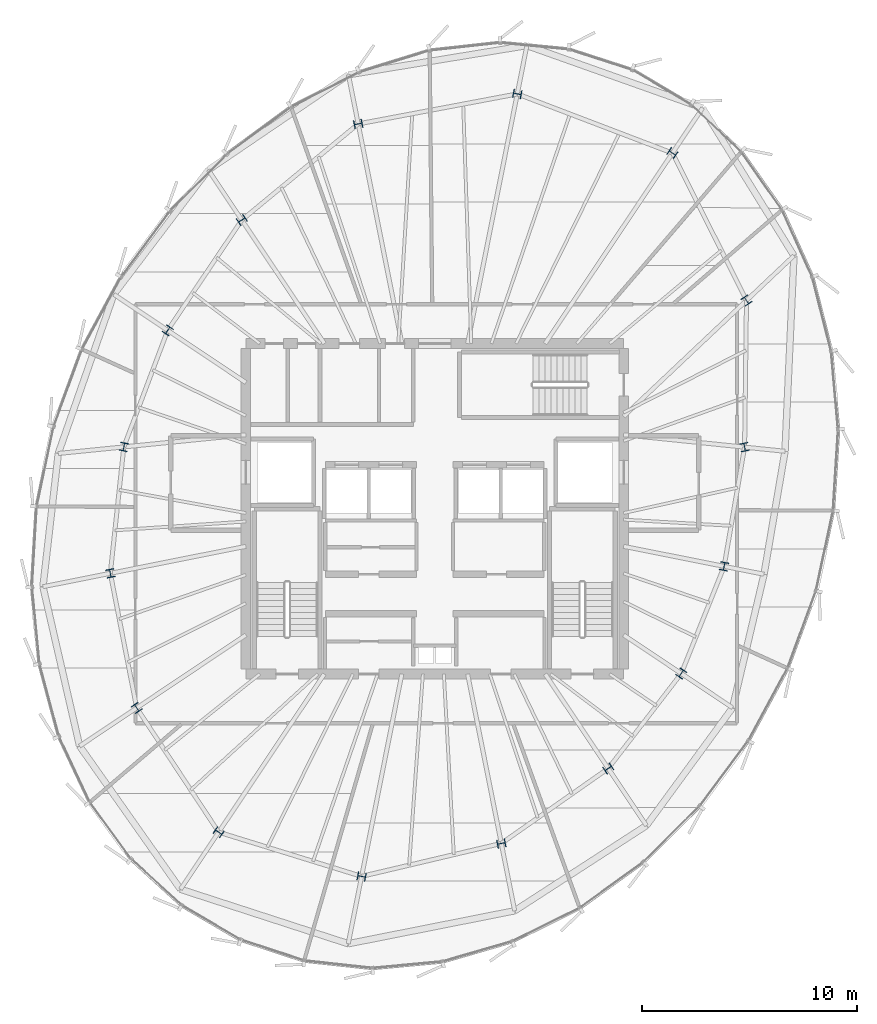
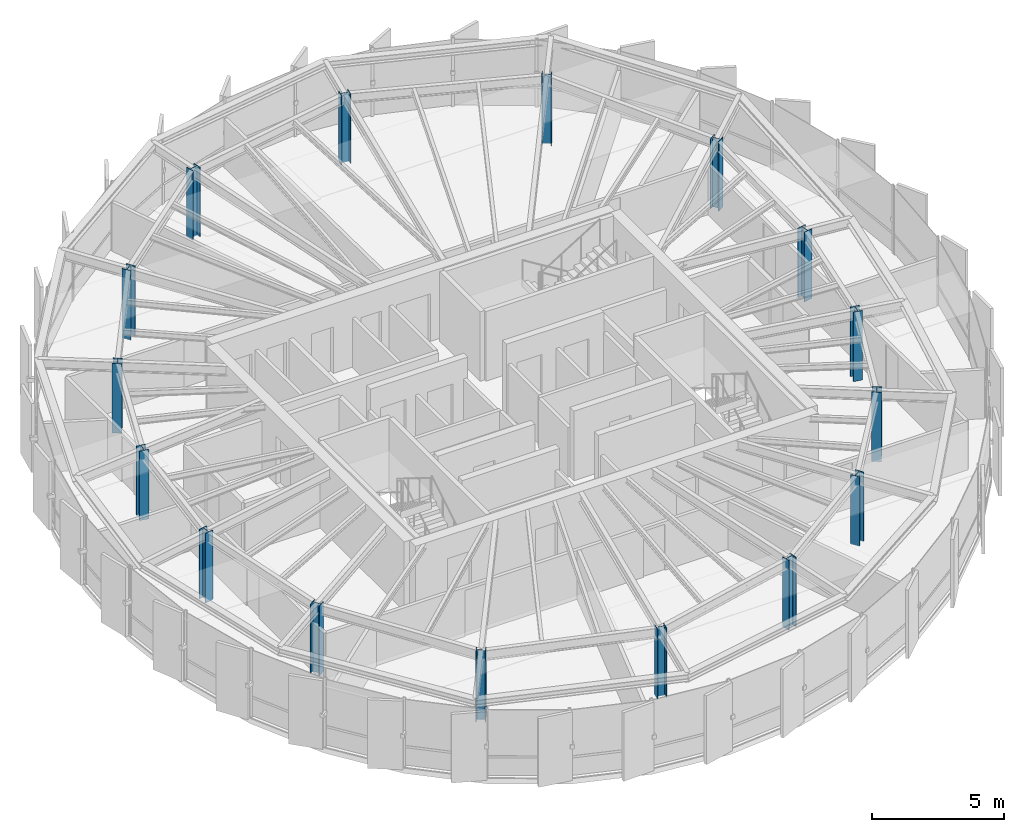
# One storey, part 1 of 30: 16 columns.
"""IFC4 building model written with IfcOpenShell, lengths in metres."""

from ifc_helpers import new_model, si_unit, direction, frame, origin, origin_2d, place, context, subcontext, project, spatial, i_section, extrude, source, transform, mapped, material, material_profile, profile_set, type_object, element, save


model = new_model("IFC4")

# Units and contexts
model_context = context("Model", 3, precision=1e-05, world=origin(), true_north=direction((0.0, 1.0)))
body_context = subcontext(model_context, "Body", "Model", "MODEL_VIEW")
ifc_project = project(units=[si_unit("LENGTHUNIT", "METRE"), si_unit("AREAUNIT", "SQUARE_METRE"), si_unit("VOLUMEUNIT", "CUBIC_METRE"), si_unit("PLANEANGLEUNIT", "RADIAN"), si_unit("MASSUNIT", "GRAM", prefix="KILO"), si_unit("THERMODYNAMICTEMPERATUREUNIT", "KELVIN")], contexts=[model_context])

# Site, building, storey
site_placement = place(None, origin())
site = spatial("IfcSite", under=ifc_project, at=site_placement, CompositionType="ELEMENT")
building_placement = place(site_placement, origin())
building = spatial("IfcBuilding", under=site, at=building_placement, Name="Kethvar Cultural Tower", CompositionType="ELEMENT")
storey_placement = place(building_placement, frame((0.0, 0.0, 297.39990234375)))
storey = spatial("IfcBuildingStorey", under=building, at=storey_placement, Name="L79", CompositionType="ELEMENT", Elevation=297.39990234375)

# Columns
ifc_material = material(Name="Steel S355J2", Category="steel")
ifc_material_profile = material_profile(ifc_material, i_section(OverallWidth=0.3740234375, OverallDepth=0.383056640625, WebThickness=0.0166015625, FlangeThickness=0.026123046875, FilletRadius=0.014892578125, at=origin_2d()), Name="Steel S355J2 — HD360x300")
ifc_profile_set = profile_set([ifc_material_profile], Name="Steel S355J2 — HD360x300")
column_type = type_object("IfcColumnType", Name="COL-HD300", PredefinedType="COLUMN", material=ifc_profile_set)
shared_shape = source(origin(), body_context, "Body", "SweptSolid", [
    extrude(i_section(OverallWidth=0.3740234375, OverallDepth=0.383056640625, WebThickness=0.0166015625, FlangeThickness=0.026123046875, FilletRadius=0.014892578125, at=origin_2d()), origin(), (0.0, 0.0, 1.0), 3.210205078125),
])
for number, where, z_axis, x_axis, name in (
    (1, (61.237060546875, 30.671630859375, 0.0), (0.0, 0.0, 1.0), (0.980785280403, 0.195090322016, 0.0), "L79 Mega-Column MC-01"),
    (2, (61.32568359375, 37.505859375, 0.0), (0.0, 0.0, 1.0), (0.831469612303, 0.55557023302, 0.0), "L79 Mega-Column MC-02"),
    (3, (57.875244140625, 44.375, 0.0), (0.0, 0.0, 1.0), (0.55557023302, 0.831469612303, 0.0), "L79 Mega-Column MC-03"),
    (4, (50.645263671875, 47.131591796875, 0.0), (0.0, 0.0, 1.0), (0.195090322016, 0.980785280403, 0.0), "L79 Mega-Column MC-04"),
    (5, (43.23291015625, 45.732421875, 0.0), (0.0, 0.0, 1.0), (-0.195090322016, 0.980785280403, 0.0), "L79 Mega-Column MC-05"),
    (6, (37.8095703125, 41.255126953125, 0.0), (0.0, 0.0, 1.0), (-0.55557023302, 0.831469612303, 0.0), "L79 Mega-Column MC-06"),
    (7, (34.35595703125, 36.114990234375, 0.0), (0.0, 0.0, 1.0), (-0.831469612303, 0.55557023302, 0.0), "L79 Mega-Column MC-07"),
    (8, (32.3125, 30.681884765625, 0.0), (0.0, 0.0, 1.0), (-0.980785280403, 0.195090322016, 0.0), "L79 Mega-Column MC-08"),
    (9, (31.68310546875, 24.79296875, 0.0), (0.0, 0.0, 1.0), (-0.980785280403, -0.195090322016, 0.0), "L79 Mega-Column MC-09"),
    (10, (32.912841796875, 18.52099609375, 0.0), (0.0, 0.0, 1.0), (-0.831469612303, -0.55557023302, 0.0), "L79 Mega-Column MC-10"),
    (11, (36.731201171875, 12.73095703125, 0.0), (0.0, 0.0, 1.0), (-0.55557023302, -0.831469612303, 0.0), "L79 Mega-Column MC-11"),
    (12, (43.392822265625, 10.67138671875, 0.0), (0.0, 0.0, 1.0), (-0.195090322016, -0.980785280403, 0.0), "L79 Mega-Column MC-12"),
    (13, (49.901611328125, 12.206787109375, 0.0), (0.0, 0.0, 1.0), (0.195090322016, -0.980785280403, 0.0), "L79 Mega-Column MC-13"),
    (14, (54.885009765625, 15.7001953125, 0.0), (0.0, 0.0, 1.0), (0.55557023302, -0.831469612303, 0.0), "L79 Mega-Column MC-14"),
    (15, (58.287109375, 20.12451171875, 0.0), (0.0, 0.0, 1.0), (0.831469612303, -0.55557023302, 0.0), "L79 Mega-Column MC-15"),
    (16, (60.28369140625, 25.117919921875, 0.0), (0.0, 0.0, 1.0), (0.980785280403, -0.195090322016, 0.0), "L79 Mega-Column MC-16"),
):
    element("IfcColumn", number, at=place(storey_placement, frame(where, z_axis=z_axis, x_axis=x_axis)), inside=storey, type_object=column_type, Name=name, PredefinedType="COLUMN", context=body_context, shape_type="MappedRepresentation", body=[
        mapped(shared_shape, transform((0.0, 0.0, 0.0), scale=1.0)),
    ])

save(model, "model.ifc")
